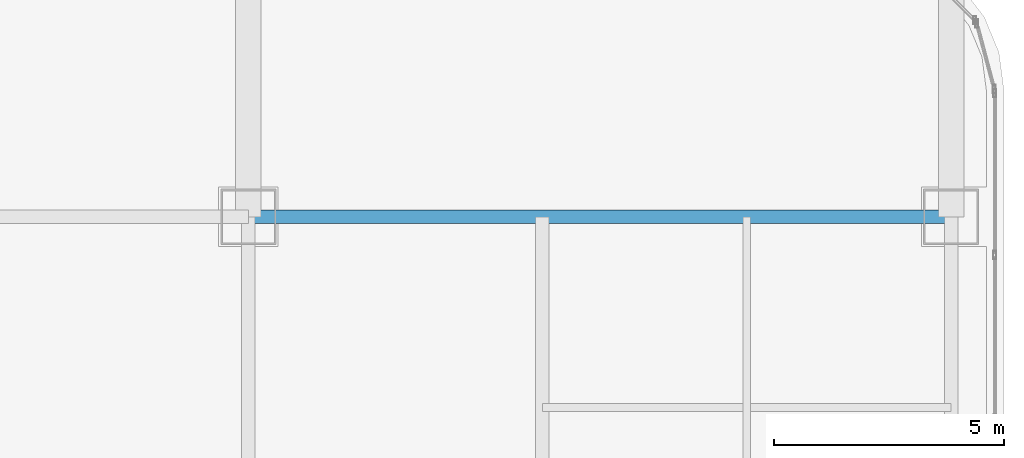
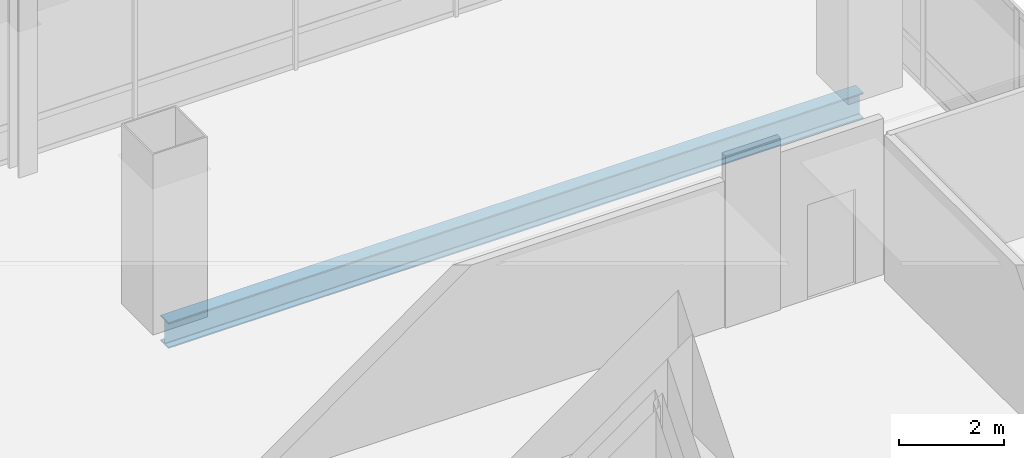
# One storey, part 28 of 41: 1 beam.
"""IFC4 building model written with IfcOpenShell, lengths in metres."""

from ifc_helpers import new_model, si_unit, direction, frame, origin, origin_2d, place, context, subcontext, project, spatial, i_section, extrude, material, material_profile, profile_set, type_object, element, save


model = new_model("IFC4")

# Units and contexts
model_context = context("Model", 3, precision=1e-05, world=origin(), true_north=direction((0.0, 1.0)))
body_context = subcontext(model_context, "Body", "Model", "MODEL_VIEW")
ifc_project = project(units=[si_unit("LENGTHUNIT", "METRE"), si_unit("AREAUNIT", "SQUARE_METRE"), si_unit("VOLUMEUNIT", "CUBIC_METRE"), si_unit("PLANEANGLEUNIT", "RADIAN"), si_unit("MASSUNIT", "GRAM", prefix="KILO")], contexts=[model_context])

# Site, building, storey
site_placement = place(None, origin())
site = spatial("IfcSite", under=ifc_project, at=site_placement, CompositionType="ELEMENT")
building_placement = place(site_placement, origin())
building = spatial("IfcBuilding", under=site, at=building_placement, Name="Punatoya Terracotta Tower", CompositionType="ELEMENT")
storey_placement = place(building_placement, frame((0.0, 0.0, 309.0)))
storey = spatial("IfcBuildingStorey", under=building, at=storey_placement, Name="L73", CompositionType="ELEMENT", Elevation=309.0)

# Beam
ifc_material = material(Name="Steel S355", Category="steel")
ifc_material_profile = material_profile(ifc_material, i_section(OverallWidth=0.300048828125, OverallDepth=0.60009765625, WebThickness=0.015380859375, FlangeThickness=0.030029296875, FilletRadius=0.01806640625, at=origin_2d()))
ifc_profile_set = profile_set([ifc_material_profile], Name="Steel S355")
beam_type = type_object("IfcBeamType", Name="BM-PRI-600", PredefinedType="BEAM", material=ifc_profile_set)
beam_placement = place(storey_placement, frame((3.800048828125, 17.5, -0.5), z_axis=(1.0, 0.0, 0.0), x_axis=(0.0, 1.0, 0.0)))
element("IfcBeam", 1, at=beam_placement, inside=storey, type_object=beam_type, Name="BM-L73-RG-N3", PredefinedType="BEAM", context=body_context, shape_type="SweptSolid", body=[
    extrude(i_section(OverallWidth=0.300048828125, OverallDepth=0.60009765625, WebThickness=0.015380859375, FlangeThickness=0.030029296875, FilletRadius=0.01806640625, at=origin_2d()), origin(), (0.0, 0.0, 1.0), 15.300048828125),
])

save(model, "model.ifc")
